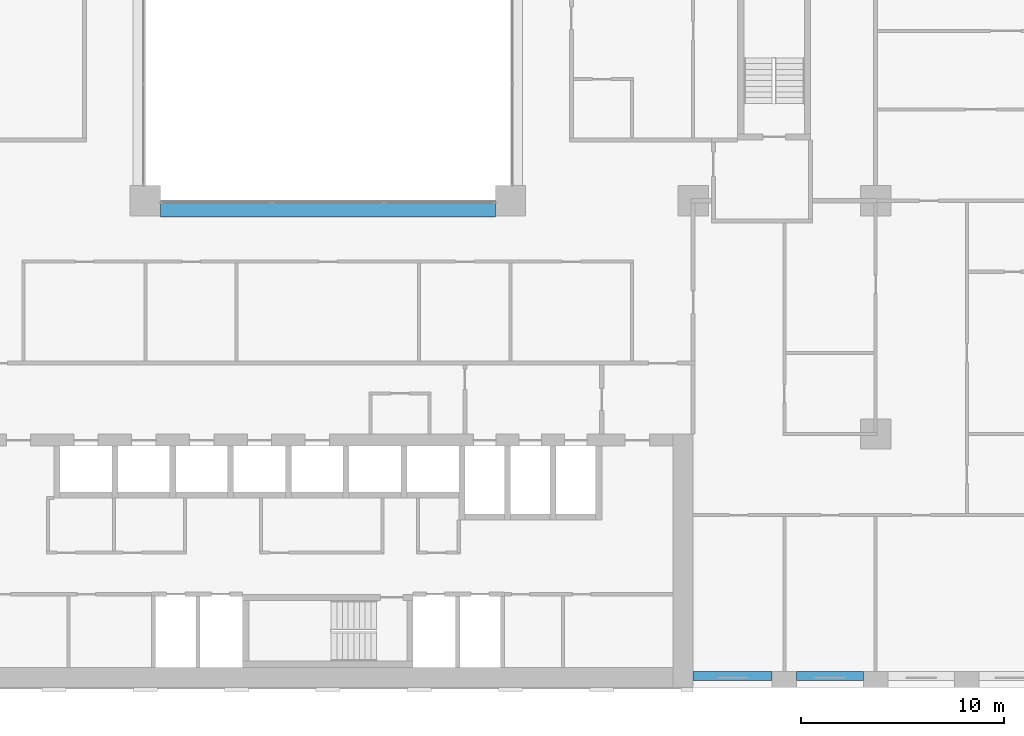
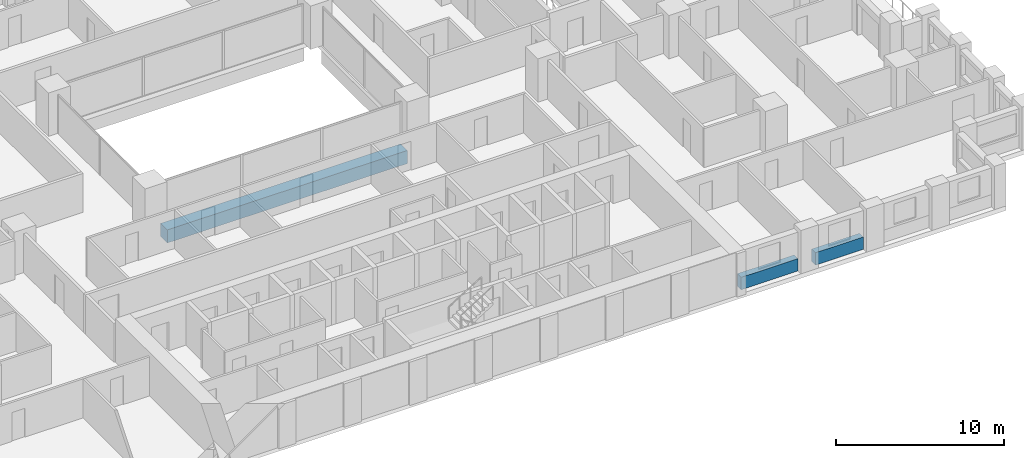
# One storey, part 3 of 20: 3 beams.
"""IFC4 building model written with IfcOpenShell, lengths in metres."""

from ifc_helpers import new_model, si_unit, direction, frame, origin, origin_2d, place, context, subcontext, project, spatial, rectangle, extrude, material, material_profile, profile_set, type_object, element, save


model = new_model("IFC4")

# Units and contexts
model_context = context("Model", 3, precision=1e-05, world=origin(), true_north=direction((0.0, 1.0)))
body_context = subcontext(model_context, "Body", "Model", "MODEL_VIEW")
ifc_project = project(units=[si_unit("LENGTHUNIT", "METRE"), si_unit("AREAUNIT", "SQUARE_METRE"), si_unit("VOLUMEUNIT", "CUBIC_METRE"), si_unit("PLANEANGLEUNIT", "RADIAN"), si_unit("MASSUNIT", "GRAM", prefix="KILO")], contexts=[model_context])

# Site, building, storey
site_placement = place(None, origin())
site = spatial("IfcSite", under=ifc_project, at=site_placement, CompositionType="ELEMENT")
building_placement = place(site_placement, origin())
building = spatial("IfcBuilding", under=site, at=building_placement, Name="Brigalow Station Residences", CompositionType="ELEMENT")
storey_placement = place(building_placement, frame((0.0, 0.0, 41.550048828125)))
storey = spatial("IfcBuildingStorey", under=building, at=storey_placement, Name="L11", CompositionType="ELEMENT", Elevation=41.550048828125)

# Beams
ifc_material_1 = material(Name="Concrete C65", Category="concrete")
ifc_material_profile_1 = material_profile(ifc_material_1, rectangle(XDim=0.800048828125, YDim=0.949951171875, at=origin_2d()), Name="RC800x950")
ifc_profile_set_1 = profile_set([ifc_material_profile_1], Name="Concrete C65")
beam_type_1 = type_object("IfcBeamType", Name="ATRIUM EDGE GIRDER OVER 13.5 M SPAN 800x950 C65", PredefinedType="BEAM", material=ifc_profile_set_1)
beam_1_placement = place(storey_placement, frame((27.75, 23.60009765625, -0.795166015625), z_axis=(1.0, 0.0, 0.0), x_axis=(0.0, 1.0, 0.0)))
element("IfcBeam", 1, at=beam_1_placement, inside=storey, type_object=beam_type_1, Name="ATRIUM EDGE GIRDER C L11", PredefinedType="BEAM", context=body_context, shape_type="SweptSolid", body=[
    extrude(rectangle(XDim=0.800048828125, YDim=0.949951171875, at=origin_2d()), origin(), (0.0, 0.0, 1.0), 16.5),
])
ifc_material_2 = material(Name="Concrete C65", Category="concrete")
ifc_material_profile_2 = material_profile(ifc_material_2, rectangle(XDim=0.449951171875, YDim=0.89990234375, at=origin_2d()), Name="RC450x900")
ifc_profile_set_2 = profile_set([ifc_material_profile_2], Name="Concrete C65")
beam_type_2 = type_object("IfcBeamType", Name="SPANDREL BEAM 450x900 C65", PredefinedType="SPANDREL", material=ifc_profile_set_2)
beam_2_placement = place(storey_placement, frame((54.0, 0.574951171875, 0.449951171875), z_axis=(1.0, 0.0, 0.0), x_axis=(0.0, 1.0, 0.0)))
element("IfcBeam", 2, at=beam_2_placement, inside=storey, type_object=beam_type_2, Name="L11/spandrel/W-L11-5", PredefinedType="SPANDREL", context=body_context, shape_type="SweptSolid", body=[
    extrude(rectangle(XDim=0.449951171875, YDim=0.89990234375, at=origin_2d()), origin(), (0.0, 0.0, 1.0), 3.89990234375),
])
beam_3_placement = place(storey_placement, frame((59.10009765625, 0.574951171875, 0.449951171875), z_axis=(1.0, 0.0, 0.0), x_axis=(0.0, 1.0, 0.0)))
element("IfcBeam", 3, at=beam_3_placement, inside=storey, type_object=beam_type_2, Name="L11/spandrel/W-L11-6", PredefinedType="SPANDREL", context=body_context, shape_type="SweptSolid", body=[
    extrude(rectangle(XDim=0.449951171875, YDim=0.89990234375, at=origin_2d()), origin(), (0.0, 0.0, 1.0), 3.2998046875),
])

save(model, "model.ifc")
